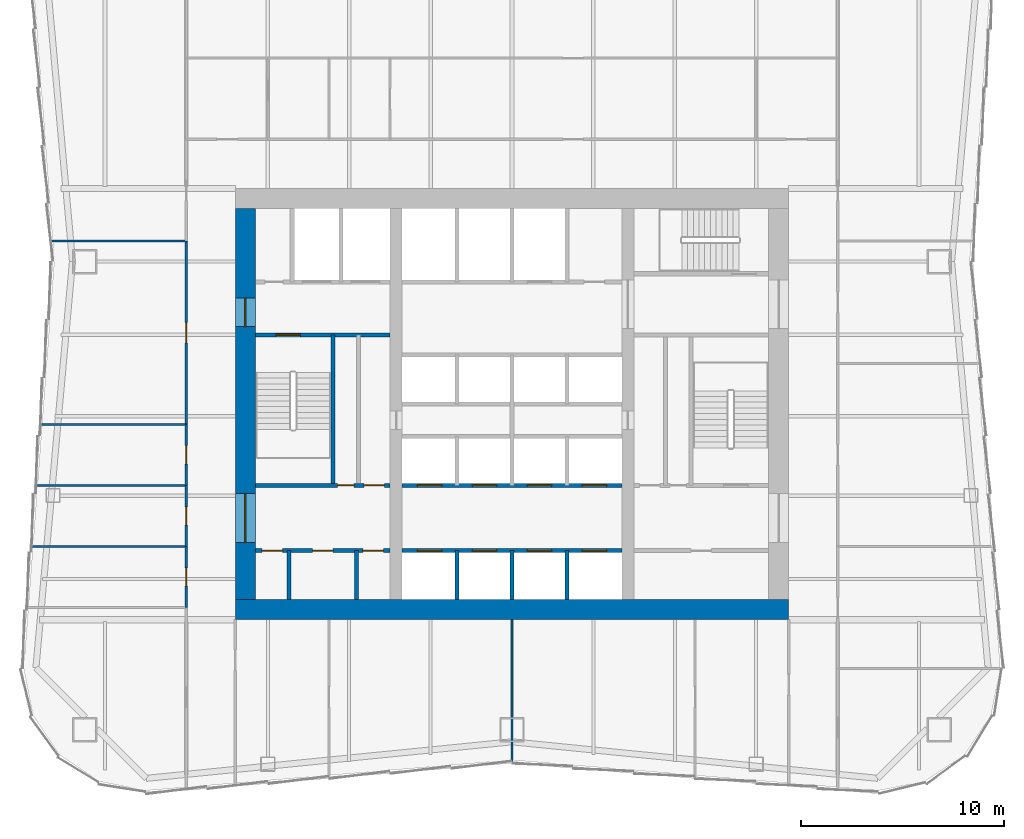
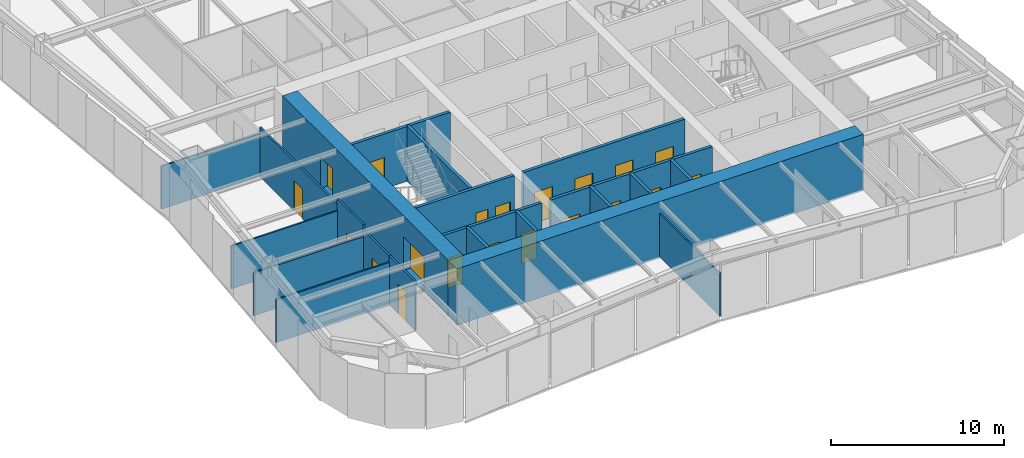
# One storey, part 4 of 8: 22 walls, 20 doors, 20 openings.
"""IFC4 building model written with IfcOpenShell, lengths in metres."""

from ifc_helpers import new_model, si_unit, direction, frame, frame_2d, origin, place, context, subcontext, project, spatial, rectangle, extrude, material, layer, layer_set, type_object, element, fill, save


model = new_model("IFC4")

# Units and contexts
model_context = context("Model", 3, precision=1e-05, world=origin(), true_north=direction((0.0, 1.0)))
body_context = subcontext(model_context, "Body", "Model", "MODEL_VIEW")
ifc_project = project(units=[si_unit("LENGTHUNIT", "METRE"), si_unit("AREAUNIT", "SQUARE_METRE"), si_unit("VOLUMEUNIT", "CUBIC_METRE"), si_unit("PLANEANGLEUNIT", "RADIAN"), si_unit("MASSUNIT", "GRAM", prefix="KILO")], contexts=[model_context])

# Site, building, storey
site_placement = place(None, origin())
site = spatial("IfcSite", under=ifc_project, at=site_placement, CompositionType="ELEMENT")
building_placement = place(site_placement, origin())
building = spatial("IfcBuilding", under=site, at=building_placement, Name="Verdant Reach Tower", CompositionType="ELEMENT")
storey_placement = place(building_placement, frame((0.0, 0.0, 134.0)))
storey = spatial("IfcBuildingStorey", under=building, at=storey_placement, Name="L30", CompositionType="ELEMENT", Elevation=134.0)

# Wall, openings, doors
ifc_material_1 = material(Name="Gypsum board on steel studs", Category="steel")
ifc_layer_1 = layer(ifc_material_1, 0.199951171875)
ifc_layer_set_1 = layer_set([ifc_layer_1], Name="CO-WALL-ROOM")
wall_type_1 = type_object("IfcWallType", Name="CO-WALL-ROOM", PredefinedType="PARTITIONING", material=ifc_layer_set_1)
wall_1_placement = place(storey_placement, frame((-12.60009765625, 20.800048828125, 0.0), z_axis=(0.0, 0.0, 1.0), x_axis=(1.0, 0.0, 0.0)))
wall_1 = element("IfcWall", 1, at=wall_1_placement, inside=storey, type_object=wall_type_1, Name="Core partition, L30", PredefinedType="PARTITIONING", context=body_context, shape_type="SweptSolid", body=[
    extrude(rectangle(XDim=6.60009765625, YDim=0.199951171875, at=frame_2d((3.300048828125, 0.0))), origin(), (0.0, 0.0, 1.0), 3.8701171875),
])
opening_1_placement = place(wall_1_placement, frame((0.324951171875, 0.0, 0.0)))
opening_1 = element("IfcOpeningElement", 2, at=opening_1_placement, cuts=wall_1, Name="Opening CD", PredefinedType="OPENING", context=body_context, shape_type="SweptSolid", body=[
    extrude(rectangle(XDim=1.0, YDim=2.10009765625, at=frame_2d((0.5, 1.050048828125))), frame((0.0, 0.10986328125, 0.0), z_axis=(0.0, -1.0, 0.0), x_axis=(1.0, 0.0, 0.0)), (0.0, 0.0, 1.0), 0.219970703125),
])
opening_2_placement = place(wall_1_placement, frame((2.800048828125, 0.0, 0.0)))
opening_2 = element("IfcOpeningElement", 3, at=opening_2_placement, cuts=wall_1, Name="Opening CD", PredefinedType="OPENING", context=body_context, shape_type="SweptSolid", body=[
    extrude(rectangle(XDim=1.0, YDim=2.10009765625, at=frame_2d((0.5, 1.050048828125))), frame((0.0, 0.10986328125, 0.0), z_axis=(0.0, -1.0, 0.0), x_axis=(1.0, 0.0, 0.0)), (0.0, 0.0, 1.0), 0.219970703125),
])
opening_3_placement = place(wall_1_placement, frame((5.27490234375, 0.0, 0.0)))
opening_3 = element("IfcOpeningElement", 4, at=opening_3_placement, cuts=wall_1, Name="Opening CD", PredefinedType="OPENING", context=body_context, shape_type="SweptSolid", body=[
    extrude(rectangle(XDim=1.0, YDim=2.10009765625, at=frame_2d((0.5, 1.050048828125))), frame((0.0, 0.10986328125, 0.0), z_axis=(0.0, -1.0, 0.0), x_axis=(1.0, 0.0, 0.0)), (0.0, 0.0, 1.0), 0.219970703125),
])
ifc_material_2 = material(Name="Timber", Category="wood")
door_type_1 = type_object("IfcDoorType", Name="CO-DOOR-ROOM", OperationType="NOTDEFINED", PredefinedType="DOOR", material=ifc_material_2)
door_1_placement = place(opening_1_placement, origin())
door_1 = element("IfcDoor", 5, at=door_1_placement, inside=storey, type_object=door_type_1, Name="Core room door, L30", OperationType="SINGLE_SWING_RIGHT", OverallHeight=2.10009765625, OverallWidth=1.0, PredefinedType="DOOR", context=body_context, shape_type="SweptSolid", body=[
    extrude(rectangle(XDim=1.0, YDim=2.10009765625, at=frame_2d((0.5, 1.050048828125))), frame((0.0, 0.02490234375, 0.0), z_axis=(0.0, -1.0, 0.0), x_axis=(1.0, 0.0, 0.0)), (0.0, 0.0, 1.0), 0.050048828125),
])
fill(opening_1, door_1)
door_2_placement = place(opening_2_placement, origin())
door_2 = element("IfcDoor", 6, at=door_2_placement, inside=storey, type_object=door_type_1, Name="Core room door, L30", OperationType="SINGLE_SWING_RIGHT", OverallHeight=2.10009765625, OverallWidth=1.0, PredefinedType="DOOR", context=body_context, shape_type="SweptSolid", body=[
    extrude(rectangle(XDim=1.0, YDim=2.10009765625, at=frame_2d((0.5, 1.050048828125))), frame((0.0, 0.02490234375, 0.0), z_axis=(0.0, -1.0, 0.0), x_axis=(1.0, 0.0, 0.0)), (0.0, 0.0, 1.0), 0.050048828125),
])
fill(opening_2, door_2)
door_3_placement = place(opening_3_placement, origin())
door_3 = element("IfcDoor", 7, at=door_3_placement, inside=storey, type_object=door_type_1, Name="Core room door, L30", OperationType="SINGLE_SWING_RIGHT", OverallHeight=2.10009765625, OverallWidth=1.0, PredefinedType="DOOR", context=body_context, shape_type="SweptSolid", body=[
    extrude(rectangle(XDim=1.0, YDim=2.10009765625, at=frame_2d((0.5, 1.050048828125))), frame((0.0, 0.02490234375, 0.0), z_axis=(0.0, -1.0, 0.0), x_axis=(1.0, 0.0, 0.0)), (0.0, 0.0, 1.0), 0.050048828125),
])
fill(opening_3, door_3)

# Walls
for number, where, z_axis, x_axis, name in (
    (8, (-10.949951171875, 18.39990234375, 0.0), (0.0, 0.0, 1.0), (0.0, 1.0, 0.0), "Core partition, L30"),
    (9, (-7.64990234375, 18.39990234375, 0.0), (0.0, 0.0, 1.0), (0.0, 1.0, 0.0), "Core partition, L30"),
):
    element("IfcWall", number, at=place(storey_placement, frame(where, z_axis=z_axis, x_axis=x_axis)), inside=storey, type_object=wall_type_1, Name=name, PredefinedType="PARTITIONING", context=body_context, shape_type="SweptSolid", body=[
        extrude(rectangle(XDim=2.400146484375, YDim=0.199951171875, at=frame_2d((1.2001953125, 0.0))), origin(), (0.0, 0.0, 1.0), 3.8701171875),
    ])

# Wall, openings, doors
ifc_material_3 = material(Name="Concrete C40/50", Category="concrete")
ifc_layer_2 = layer(ifc_material_3, 0.199951171875)
ifc_layer_set_2 = layer_set([ifc_layer_2], Name="CO-WALL-SHAFT")
wall_type_2 = type_object("IfcWallType", Name="CO-WALL-SHAFT", PredefinedType="PARTITIONING", material=ifc_layer_set_2)
wall_2_placement = place(storey_placement, frame((-5.39990234375, 20.800048828125, 0.0), z_axis=(0.0, 0.0, 1.0), x_axis=(1.0, 0.0, 0.0)))
wall_2 = element("IfcWall", 10, at=wall_2_placement, inside=storey, type_object=wall_type_2, Name="Lift shaft wall, L30", PredefinedType="PARTITIONING", context=body_context, shape_type="SweptSolid", body=[
    extrude(rectangle(XDim=10.7998046875, YDim=0.199951171875, at=frame_2d((5.39990234375, 0.0))), origin(), (0.0, 0.0, 1.0), 3.8701171875),
])
opening_4_placement = place(wall_2_placement, frame((0.75, 0.0, 0.0)))
opening_4 = element("IfcOpeningElement", 11, at=opening_4_placement, cuts=wall_2, Name="Opening LD-A1", PredefinedType="OPENING", context=body_context, shape_type="SweptSolid", body=[
    extrude(rectangle(XDim=1.199951171875, YDim=2.199951171875, at=frame_2d((0.60009765625, 1.10009765625))), frame((0.0, 0.10986328125, 0.0), z_axis=(0.0, -1.0, 0.0), x_axis=(1.0, 0.0, 0.0)), (0.0, 0.0, 1.0), 0.219970703125),
])
opening_5_placement = place(wall_2_placement, frame((3.449951171875, 0.0, 0.0)))
opening_5 = element("IfcOpeningElement", 12, at=opening_5_placement, cuts=wall_2, Name="Opening LD-A2", PredefinedType="OPENING", context=body_context, shape_type="SweptSolid", body=[
    extrude(rectangle(XDim=1.199951171875, YDim=2.199951171875, at=frame_2d((0.60009765625, 1.10009765625))), frame((0.0, 0.10986328125, 0.0), z_axis=(0.0, -1.0, 0.0), x_axis=(1.0, 0.0, 0.0)), (0.0, 0.0, 1.0), 0.219970703125),
])
opening_6_placement = place(wall_2_placement, frame((6.14990234375, 0.0, 0.0)))
opening_6 = element("IfcOpeningElement", 13, at=opening_6_placement, cuts=wall_2, Name="Opening LD-A3", PredefinedType="OPENING", context=body_context, shape_type="SweptSolid", body=[
    extrude(rectangle(XDim=1.199951171875, YDim=2.199951171875, at=frame_2d((0.60009765625, 1.10009765625))), frame((0.0, 0.10986328125, 0.0), z_axis=(0.0, -1.0, 0.0), x_axis=(1.0, 0.0, 0.0)), (0.0, 0.0, 1.0), 0.219970703125),
])
opening_7_placement = place(wall_2_placement, frame((8.85009765625, 0.0, 0.0)))
opening_7 = element("IfcOpeningElement", 14, at=opening_7_placement, cuts=wall_2, Name="Opening LD-A4", PredefinedType="OPENING", context=body_context, shape_type="SweptSolid", body=[
    extrude(rectangle(XDim=1.199951171875, YDim=2.199951171875, at=frame_2d((0.60009765625, 1.10009765625))), frame((0.0, 0.10986328125, 0.0), z_axis=(0.0, -1.0, 0.0), x_axis=(1.0, 0.0, 0.0)), (0.0, 0.0, 1.0), 0.219970703125),
])
ifc_material_4 = material(Name="Stainless steel", Category="steel")
door_type_2 = type_object("IfcDoorType", Name="CO-DOOR-LANDING", OperationType="SLIDING_TO_LEFT", PredefinedType="DOOR", material=ifc_material_4)
door_4_placement = place(opening_4_placement, origin())
door_4 = element("IfcDoor", 15, at=door_4_placement, inside=storey, type_object=door_type_2, Name="Landing door A1, L30", OperationType="SLIDING_TO_LEFT", OverallHeight=2.199951171875, OverallWidth=1.199951171875, PredefinedType="DOOR", context=body_context, shape_type="SweptSolid", body=[
    extrude(rectangle(XDim=1.199951171875, YDim=2.199951171875, at=frame_2d((0.60009765625, 1.10009765625))), frame((0.0, 0.02490234375, 0.0), z_axis=(0.0, -1.0, 0.0), x_axis=(1.0, 0.0, 0.0)), (0.0, 0.0, 1.0), 0.050048828125),
])
fill(opening_4, door_4)
door_5_placement = place(opening_5_placement, origin())
door_5 = element("IfcDoor", 16, at=door_5_placement, inside=storey, type_object=door_type_2, Name="Landing door A2, L30", OperationType="SLIDING_TO_LEFT", OverallHeight=2.199951171875, OverallWidth=1.199951171875, PredefinedType="DOOR", context=body_context, shape_type="SweptSolid", body=[
    extrude(rectangle(XDim=1.199951171875, YDim=2.199951171875, at=frame_2d((0.60009765625, 1.10009765625))), frame((0.0, 0.02490234375, 0.0), z_axis=(0.0, -1.0, 0.0), x_axis=(1.0, 0.0, 0.0)), (0.0, 0.0, 1.0), 0.050048828125),
])
fill(opening_5, door_5)
door_6_placement = place(opening_6_placement, origin())
door_6 = element("IfcDoor", 17, at=door_6_placement, inside=storey, type_object=door_type_2, Name="Landing door A3, L30", OperationType="SLIDING_TO_LEFT", OverallHeight=2.199951171875, OverallWidth=1.199951171875, PredefinedType="DOOR", context=body_context, shape_type="SweptSolid", body=[
    extrude(rectangle(XDim=1.199951171875, YDim=2.199951171875, at=frame_2d((0.60009765625, 1.10009765625))), frame((0.0, 0.02490234375, 0.0), z_axis=(0.0, -1.0, 0.0), x_axis=(1.0, 0.0, 0.0)), (0.0, 0.0, 1.0), 0.050048828125),
])
fill(opening_6, door_6)
door_7_placement = place(opening_7_placement, origin())
door_7 = element("IfcDoor", 18, at=door_7_placement, inside=storey, type_object=door_type_2, Name="Landing door A4, L30", OperationType="SLIDING_TO_LEFT", OverallHeight=2.199951171875, OverallWidth=1.199951171875, PredefinedType="DOOR", context=body_context, shape_type="SweptSolid", body=[
    extrude(rectangle(XDim=1.199951171875, YDim=2.199951171875, at=frame_2d((0.60009765625, 1.10009765625))), frame((0.0, 0.02490234375, 0.0), z_axis=(0.0, -1.0, 0.0), x_axis=(1.0, 0.0, 0.0)), (0.0, 0.0, 1.0), 0.050048828125),
])
fill(opening_7, door_7)

wall_3_placement = place(storey_placement, frame((-5.39990234375, 24.0, 0.0), z_axis=(0.0, 0.0, 1.0), x_axis=(1.0, 0.0, 0.0)))
wall_3 = element("IfcWall", 19, at=wall_3_placement, inside=storey, type_object=wall_type_2, Name="Lift shaft wall, L30", PredefinedType="PARTITIONING", context=body_context, shape_type="SweptSolid", body=[
    extrude(rectangle(XDim=10.7998046875, YDim=0.199951171875, at=frame_2d((5.39990234375, 0.0))), origin(), (0.0, 0.0, 1.0), 3.8701171875),
])
opening_8_placement = place(wall_3_placement, frame((0.75, 0.0, 0.0)))
opening_8 = element("IfcOpeningElement", 20, at=opening_8_placement, cuts=wall_3, Name="Opening LD-A5", PredefinedType="OPENING", context=body_context, shape_type="SweptSolid", body=[
    extrude(rectangle(XDim=1.199951171875, YDim=2.199951171875, at=frame_2d((0.60009765625, 1.10009765625))), frame((0.0, 0.10986328125, 0.0), z_axis=(0.0, -1.0, 0.0), x_axis=(1.0, 0.0, 0.0)), (0.0, 0.0, 1.0), 0.219970703125),
])
opening_9_placement = place(wall_3_placement, frame((3.449951171875, 0.0, 0.0)))
opening_9 = element("IfcOpeningElement", 21, at=opening_9_placement, cuts=wall_3, Name="Opening LD-A6", PredefinedType="OPENING", context=body_context, shape_type="SweptSolid", body=[
    extrude(rectangle(XDim=1.199951171875, YDim=2.199951171875, at=frame_2d((0.60009765625, 1.10009765625))), frame((0.0, 0.10986328125, 0.0), z_axis=(0.0, -1.0, 0.0), x_axis=(1.0, 0.0, 0.0)), (0.0, 0.0, 1.0), 0.219970703125),
])
opening_10_placement = place(wall_3_placement, frame((6.14990234375, 0.0, 0.0)))
opening_10 = element("IfcOpeningElement", 22, at=opening_10_placement, cuts=wall_3, Name="Opening LD-A7", PredefinedType="OPENING", context=body_context, shape_type="SweptSolid", body=[
    extrude(rectangle(XDim=1.199951171875, YDim=2.199951171875, at=frame_2d((0.60009765625, 1.10009765625))), frame((0.0, 0.10986328125, 0.0), z_axis=(0.0, -1.0, 0.0), x_axis=(1.0, 0.0, 0.0)), (0.0, 0.0, 1.0), 0.219970703125),
])
opening_11_placement = place(wall_3_placement, frame((8.85009765625, 0.0, 0.0)))
opening_11 = element("IfcOpeningElement", 23, at=opening_11_placement, cuts=wall_3, Name="Opening LD-A8", PredefinedType="OPENING", context=body_context, shape_type="SweptSolid", body=[
    extrude(rectangle(XDim=1.199951171875, YDim=2.199951171875, at=frame_2d((0.60009765625, 1.10009765625))), frame((0.0, 0.10986328125, 0.0), z_axis=(0.0, -1.0, 0.0), x_axis=(1.0, 0.0, 0.0)), (0.0, 0.0, 1.0), 0.219970703125),
])
door_8_placement = place(opening_8_placement, origin())
door_8 = element("IfcDoor", 24, at=door_8_placement, inside=storey, type_object=door_type_2, Name="Landing door A5, L30", OperationType="SLIDING_TO_LEFT", OverallHeight=2.199951171875, OverallWidth=1.199951171875, PredefinedType="DOOR", context=body_context, shape_type="SweptSolid", body=[
    extrude(rectangle(XDim=1.199951171875, YDim=2.199951171875, at=frame_2d((0.60009765625, 1.10009765625))), frame((0.0, 0.02490234375, 0.0), z_axis=(0.0, -1.0, 0.0), x_axis=(1.0, 0.0, 0.0)), (0.0, 0.0, 1.0), 0.050048828125),
])
fill(opening_8, door_8)
door_9_placement = place(opening_9_placement, origin())
door_9 = element("IfcDoor", 25, at=door_9_placement, inside=storey, type_object=door_type_2, Name="Landing door A6, L30", OperationType="SLIDING_TO_LEFT", OverallHeight=2.199951171875, OverallWidth=1.199951171875, PredefinedType="DOOR", context=body_context, shape_type="SweptSolid", body=[
    extrude(rectangle(XDim=1.199951171875, YDim=2.199951171875, at=frame_2d((0.60009765625, 1.10009765625))), frame((0.0, 0.02490234375, 0.0), z_axis=(0.0, -1.0, 0.0), x_axis=(1.0, 0.0, 0.0)), (0.0, 0.0, 1.0), 0.050048828125),
])
fill(opening_9, door_9)
door_10_placement = place(opening_10_placement, origin())
door_10 = element("IfcDoor", 26, at=door_10_placement, inside=storey, type_object=door_type_2, Name="Landing door A7, L30", OperationType="SLIDING_TO_LEFT", OverallHeight=2.199951171875, OverallWidth=1.199951171875, PredefinedType="DOOR", context=body_context, shape_type="SweptSolid", body=[
    extrude(rectangle(XDim=1.199951171875, YDim=2.199951171875, at=frame_2d((0.60009765625, 1.10009765625))), frame((0.0, 0.02490234375, 0.0), z_axis=(0.0, -1.0, 0.0), x_axis=(1.0, 0.0, 0.0)), (0.0, 0.0, 1.0), 0.050048828125),
])
fill(opening_10, door_10)
door_11_placement = place(opening_11_placement, origin())
door_11 = element("IfcDoor", 27, at=door_11_placement, inside=storey, type_object=door_type_2, Name="Landing door A8, L30", OperationType="SLIDING_TO_LEFT", OverallHeight=2.199951171875, OverallWidth=1.199951171875, PredefinedType="DOOR", context=body_context, shape_type="SweptSolid", body=[
    extrude(rectangle(XDim=1.199951171875, YDim=2.199951171875, at=frame_2d((0.60009765625, 1.10009765625))), frame((0.0, 0.02490234375, 0.0), z_axis=(0.0, -1.0, 0.0), x_axis=(1.0, 0.0, 0.0)), (0.0, 0.0, 1.0), 0.050048828125),
])
fill(opening_11, door_11)

# Walls
for number, where, z_axis, x_axis, name in (
    (28, (-2.699951171875, 18.39990234375, 0.0), (0.0, 0.0, 1.0), (0.0, 1.0, 0.0), "Lift shaft wall, L30"),
    (29, (0.0, 18.39990234375, 0.0), (0.0, 0.0, 1.0), (0.0, 1.0, 0.0), "Lift shaft wall, L30"),
    (30, (2.699951171875, 18.39990234375, 0.0), (0.0, 0.0, 1.0), (0.0, 1.0, 0.0), "Lift shaft wall, L30"),
):
    element("IfcWall", number, at=place(storey_placement, frame(where, z_axis=z_axis, x_axis=x_axis)), inside=storey, type_object=wall_type_2, Name=name, PredefinedType="PARTITIONING", context=body_context, shape_type="SweptSolid", body=[
        extrude(rectangle(XDim=2.400146484375, YDim=0.199951171875, at=frame_2d((1.2001953125, 0.0))), origin(), (0.0, 0.0, 1.0), 3.8701171875),
    ])

# Wall, openings, doors
ifc_layer_3 = layer(ifc_material_3, 0.199951171875)
ifc_layer_set_3 = layer_set([ifc_layer_3], Name="CO-WALL-STAIR")
wall_type_3 = type_object("IfcWallType", Name="CO-WALL-STAIR", PredefinedType="PARTITIONING", material=ifc_layer_set_3)
wall_4_placement = place(storey_placement, frame((-12.60009765625, 24.0, 0.0), z_axis=(0.0, 0.0, 1.0), x_axis=(1.0, 0.0, 0.0)))
wall_4 = element("IfcWall", 31, at=wall_4_placement, inside=storey, type_object=wall_type_3, Name="Stair enclosure wall, L30", PredefinedType="PARTITIONING", context=body_context, shape_type="SweptSolid", body=[
    extrude(rectangle(XDim=6.60009765625, YDim=0.199951171875, at=frame_2d((3.300048828125, 0.0))), origin(), (0.0, 0.0, 1.0), 3.8701171875),
])
opening_12_placement = place(wall_4_placement, frame((4.030029296875, 0.0, 0.0)))
opening_12 = element("IfcOpeningElement", 32, at=opening_12_placement, cuts=wall_4, Name="Opening CDN", PredefinedType="OPENING", context=body_context, shape_type="SweptSolid", body=[
    extrude(rectangle(XDim=0.800048828125, YDim=2.10009765625, at=frame_2d((0.39990234375, 1.050048828125))), frame((0.0, 0.10986328125, 0.0), z_axis=(0.0, -1.0, 0.0), x_axis=(1.0, 0.0, 0.0)), (0.0, 0.0, 1.0), 0.219970703125),
])
opening_13_placement = place(wall_4_placement, frame((5.330078125, 0.0, 0.0)))
opening_13 = element("IfcOpeningElement", 33, at=opening_13_placement, cuts=wall_4, Name="Opening CD", PredefinedType="OPENING", context=body_context, shape_type="SweptSolid", body=[
    extrude(rectangle(XDim=1.0, YDim=2.10009765625, at=frame_2d((0.5, 1.050048828125))), frame((0.0, 0.10986328125, 0.0), z_axis=(0.0, -1.0, 0.0), x_axis=(1.0, 0.0, 0.0)), (0.0, 0.0, 1.0), 0.219970703125),
])
door_12_placement = place(opening_13_placement, origin())
door_12 = element("IfcDoor", 34, at=door_12_placement, inside=storey, type_object=door_type_1, Name="Core room door, L30", OperationType="SINGLE_SWING_LEFT", OverallHeight=2.10009765625, OverallWidth=1.0, PredefinedType="DOOR", context=body_context, shape_type="SweptSolid", body=[
    extrude(rectangle(XDim=1.0, YDim=2.10009765625, at=frame_2d((0.5, 1.050048828125))), frame((0.0, 0.02490234375, 0.0), z_axis=(0.0, -1.0, 0.0), x_axis=(1.0, 0.0, 0.0)), (0.0, 0.0, 1.0), 0.050048828125),
])
fill(opening_13, door_12)
door_type_3 = type_object("IfcDoorType", Name="CO-DOOR-ROOM-NARROW", OperationType="NOTDEFINED", PredefinedType="DOOR", material=ifc_material_2)
door_13_placement = place(opening_12_placement, origin())
door_13 = element("IfcDoor", 35, at=door_13_placement, inside=storey, type_object=door_type_3, Name="Core room door, L30", OperationType="SINGLE_SWING_RIGHT", OverallHeight=2.10009765625, OverallWidth=0.800048828125, PredefinedType="DOOR", context=body_context, shape_type="SweptSolid", body=[
    extrude(rectangle(XDim=0.800048828125, YDim=2.10009765625, at=frame_2d((0.39990234375, 1.050048828125))), frame((0.0, 0.02490234375, 0.0), z_axis=(0.0, -1.0, 0.0), x_axis=(1.0, 0.0, 0.0)), (0.0, 0.0, 1.0), 0.050048828125),
])
fill(opening_12, door_13)

# Wall, opening, door
wall_5_placement = place(storey_placement, frame((-12.60009765625, 31.39990234375, 0.0), z_axis=(0.0, 0.0, 1.0), x_axis=(1.0, 0.0, 0.0)))
wall_5 = element("IfcWall", 36, at=wall_5_placement, inside=storey, type_object=wall_type_3, Name="Stair enclosure wall, L30", PredefinedType="PARTITIONING", context=body_context, shape_type="SweptSolid", body=[
    extrude(rectangle(XDim=6.60009765625, YDim=0.199951171875, at=frame_2d((3.300048828125, 0.0))), origin(), (0.0, 0.0, 1.0), 3.8701171875),
])
opening_14_placement = place(wall_5_placement, frame((1.0, 0.0, 0.0)))
opening_14 = element("IfcOpeningElement", 37, at=opening_14_placement, cuts=wall_5, Name="Opening SD", PredefinedType="OPENING", context=body_context, shape_type="SweptSolid", body=[
    extrude(rectangle(XDim=1.199951171875, YDim=2.199951171875, at=frame_2d((0.60009765625, 1.10009765625))), frame((0.0, 0.10986328125, 0.0), z_axis=(0.0, -1.0, 0.0), x_axis=(1.0, 0.0, 0.0)), (0.0, 0.0, 1.0), 0.219970703125),
])
ifc_material_5 = material(Name="Steel", Category="steel")
door_type_4 = type_object("IfcDoorType", Name="CO-DOOR-STAIR", OperationType="NOTDEFINED", PredefinedType="DOOR", material=ifc_material_5)
door_14_placement = place(opening_14_placement, origin())
door_14 = element("IfcDoor", 38, at=door_14_placement, inside=storey, type_object=door_type_4, Name="Stair door, L30", OperationType="SINGLE_SWING_LEFT", OverallHeight=2.199951171875, OverallWidth=1.199951171875, PredefinedType="DOOR", context=body_context, shape_type="SweptSolid", body=[
    extrude(rectangle(XDim=1.199951171875, YDim=2.199951171875, at=frame_2d((0.60009765625, 1.10009765625))), frame((0.0, 0.02490234375, 0.0), z_axis=(0.0, -1.0, 0.0), x_axis=(1.0, 0.0, 0.0)), (0.0, 0.0, 1.0), 0.050048828125),
])
fill(opening_14, door_14)

# Walls
wall_6_placement = place(storey_placement, frame((-8.800048828125, 24.0, 0.0), z_axis=(0.0, 0.0, 1.0), x_axis=(0.0, 1.0, 0.0)))
element("IfcWall", 39, at=wall_6_placement, inside=storey, type_object=wall_type_3, Name="Stair enclosure wall, L30", PredefinedType="PARTITIONING", context=body_context, shape_type="SweptSolid", body=[
    extrude(rectangle(XDim=7.39990234375, YDim=0.199951171875, at=frame_2d((3.699951171875, 0.0))), origin(), (0.0, 0.0, 1.0), 3.8701171875),
])
ifc_layer_4 = layer(ifc_material_1, 0.10009765625)
ifc_layer_set_4 = layer_set([ifc_layer_4], Name="FL-W1 Partition 100")
wall_type_4 = type_object("IfcWallType", Name="FL-W1 Partition 100", PredefinedType="PARTITIONING", material=ifc_layer_set_4)
wall_7_placement = place(storey_placement, frame((-16.0, 21.0, 0.0), z_axis=(0.0, 0.0, 1.0), x_axis=(-1.0, 0.0, 0.0)))
element("IfcWall", 40, at=wall_7_placement, inside=storey, type_object=wall_type_4, Name="Partition 30.20", PredefinedType="PARTITIONING", context=body_context, shape_type="SweptSolid", body=[
    extrude(rectangle(XDim=7.6298828125, YDim=0.10009765625, at=frame_2d((3.81494140625, 0.0))), origin(), (0.0, 0.0, 1.0), 3.0400390625),
])
wall_8_placement = place(storey_placement, frame((-16.0, 24.0, 0.0), z_axis=(0.0, 0.0, 1.0), x_axis=(-1.0, 0.0, 0.0)))
element("IfcWall", 41, at=wall_8_placement, inside=storey, type_object=wall_type_4, Name="Partition 30.21", PredefinedType="PARTITIONING", context=body_context, shape_type="SweptSolid", body=[
    extrude(rectangle(XDim=7.405029296875, YDim=0.10009765625, at=frame_2d((3.70263671875, 0.0))), origin(), (0.0, 0.0, 1.0), 3.0400390625),
])
wall_9_placement = place(storey_placement, frame((-16.0, 27.0, 0.0), z_axis=(0.0, 0.0, 1.0), x_axis=(-1.0, 0.0, 0.0)))
element("IfcWall", 42, at=wall_9_placement, inside=storey, type_object=wall_type_4, Name="Partition 30.22", PredefinedType="PARTITIONING", context=body_context, shape_type="SweptSolid", body=[
    extrude(rectangle(XDim=7.179931640625, YDim=0.10009765625, at=frame_2d((3.58984375, 0.0))), origin(), (0.0, 0.0, 1.0), 3.0400390625),
])
wall_10_placement = place(storey_placement, frame((-16.0, 36.0, 0.0), z_axis=(0.0, 0.0, 1.0), x_axis=(-1.0, 0.0, 0.0)))
element("IfcWall", 43, at=wall_10_placement, inside=storey, type_object=wall_type_4, Name="Partition 30.23", PredefinedType="PARTITIONING", context=body_context, shape_type="SweptSolid", body=[
    extrude(rectangle(XDim=6.655029296875, YDim=0.10009765625, at=frame_2d((3.32763671875, 0.0))), origin(), (0.0, 0.0, 1.0), 3.0400390625),
])
wall_11_placement = place(storey_placement, frame((0.0, 10.419921875, 0.0), z_axis=(0.0, 0.0, 1.0), x_axis=(0.0, 1.0, 0.0)))
element("IfcWall", 44, at=wall_11_placement, inside=storey, type_object=wall_type_4, Name="Partition 30.35", PredefinedType="PARTITIONING", context=body_context, shape_type="SweptSolid", body=[
    extrude(rectangle(XDim=6.97998046875, YDim=0.10009765625, at=frame_2d((3.489990234375, 0.0))), origin(), (0.0, 0.0, 1.0), 3.0400390625),
])

# Wall, opening, door
ifc_material_6 = material(Name="Gypsum board on steel studs, fire rated", Category="steel")
ifc_layer_5 = layer(ifc_material_6, 0.125)
ifc_layer_set_5 = layer_set([ifc_layer_5], Name="FL-W2 Corridor wall 125")
wall_type_5 = type_object("IfcWallType", Name="FL-W2 Corridor wall 125", PredefinedType="PARTITIONING", material=ifc_layer_set_5)
wall_12_placement = place(storey_placement, frame((-16.0, 18.0, 0.0), z_axis=(0.0, 0.0, 1.0), x_axis=(0.0, 1.0, 0.0)))
wall_12 = element("IfcWall", 45, at=wall_12_placement, inside=storey, type_object=wall_type_5, Name="Partition 30.02", PredefinedType="PARTITIONING", context=body_context, shape_type="SweptSolid", body=[
    extrude(rectangle(XDim=3.0, YDim=0.125, at=frame_2d((1.5, 0.0))), origin(), (0.0, 0.0, 1.0), 3.47998046875),
])
opening_15_placement = place(wall_12_placement, frame((1.050048828125, 0.0, 0.0)))
opening_15 = element("IfcOpeningElement", 46, at=opening_15_placement, cuts=wall_12, Name="Opening D1", PredefinedType="OPENING", context=body_context, shape_type="SweptSolid", body=[
    extrude(rectangle(XDim=0.89990234375, YDim=2.10009765625, at=frame_2d((0.449951171875, 1.050048828125))), frame((0.0, 0.072509765625, 0.0), z_axis=(0.0, -1.0, 0.0), x_axis=(1.0, 0.0, 0.0)), (0.0, 0.0, 1.0), 0.14501953125),
])
ifc_material_7 = material(Name="Painted timber door leaf", Category="wood")
door_type_5 = type_object("IfcDoorType", Name="FL-D1 Door 900x2100", OperationType="NOTDEFINED", PredefinedType="DOOR", material=ifc_material_7)
door_15_placement = place(opening_15_placement, origin())
door_15 = element("IfcDoor", 47, at=door_15_placement, inside=storey, type_object=door_type_5, Name="Door 30-002", OperationType="SINGLE_SWING_RIGHT", OverallHeight=2.10009765625, OverallWidth=0.89990234375, PredefinedType="DOOR", context=body_context, shape_type="SweptSolid", body=[
    extrude(rectangle(XDim=0.89990234375, YDim=2.10009765625, at=frame_2d((0.449951171875, 1.050048828125))), frame((0.0, 0.02490234375, 0.0), z_axis=(0.0, -1.0, 0.0), x_axis=(1.0, 0.0, 0.0)), (0.0, 0.0, 1.0), 0.050048828125),
])
fill(opening_15, door_15)

wall_13_placement = place(storey_placement, frame((-16.0, 21.0, 0.0), z_axis=(0.0, 0.0, 1.0), x_axis=(0.0, 1.0, 0.0)))
wall_13 = element("IfcWall", 48, at=wall_13_placement, inside=storey, type_object=wall_type_5, Name="Partition 30.03", PredefinedType="PARTITIONING", context=body_context, shape_type="SweptSolid", body=[
    extrude(rectangle(XDim=3.0, YDim=0.125, at=frame_2d((1.5, 0.0))), origin(), (0.0, 0.0, 1.0), 3.47998046875),
])
opening_16_placement = place(wall_13_placement, frame((1.050048828125, 0.0, 0.0)))
opening_16 = element("IfcOpeningElement", 49, at=opening_16_placement, cuts=wall_13, Name="Opening D1", PredefinedType="OPENING", context=body_context, shape_type="SweptSolid", body=[
    extrude(rectangle(XDim=0.89990234375, YDim=2.10009765625, at=frame_2d((0.449951171875, 1.050048828125))), frame((0.0, 0.072509765625, 0.0), z_axis=(0.0, -1.0, 0.0), x_axis=(1.0, 0.0, 0.0)), (0.0, 0.0, 1.0), 0.14501953125),
])
door_16_placement = place(opening_16_placement, origin())
door_16 = element("IfcDoor", 50, at=door_16_placement, inside=storey, type_object=door_type_5, Name="Door 30-003", OperationType="SINGLE_SWING_LEFT", OverallHeight=2.10009765625, OverallWidth=0.89990234375, PredefinedType="DOOR", context=body_context, shape_type="SweptSolid", body=[
    extrude(rectangle(XDim=0.89990234375, YDim=2.10009765625, at=frame_2d((0.449951171875, 1.050048828125))), frame((0.0, 0.02490234375, 0.0), z_axis=(0.0, -1.0, 0.0), x_axis=(1.0, 0.0, 0.0)), (0.0, 0.0, 1.0), 0.050048828125),
])
fill(opening_16, door_16)

wall_14_placement = place(storey_placement, frame((-16.0, 24.0, 0.0), z_axis=(0.0, 0.0, 1.0), x_axis=(0.0, 1.0, 0.0)))
wall_14 = element("IfcWall", 51, at=wall_14_placement, inside=storey, type_object=wall_type_5, Name="Partition 30.04", PredefinedType="PARTITIONING", context=body_context, shape_type="SweptSolid", body=[
    extrude(rectangle(XDim=3.0, YDim=0.125, at=frame_2d((1.5, 0.0))), origin(), (0.0, 0.0, 1.0), 3.8701171875),
])
opening_17_placement = place(wall_14_placement, frame((1.050048828125, 0.0, 0.0)))
opening_17 = element("IfcOpeningElement", 52, at=opening_17_placement, cuts=wall_14, Name="Opening D1", PredefinedType="OPENING", context=body_context, shape_type="SweptSolid", body=[
    extrude(rectangle(XDim=0.89990234375, YDim=2.10009765625, at=frame_2d((0.449951171875, 1.050048828125))), frame((0.0, 0.072509765625, 0.0), z_axis=(0.0, -1.0, 0.0), x_axis=(1.0, 0.0, 0.0)), (0.0, 0.0, 1.0), 0.14501953125),
])
door_17_placement = place(opening_17_placement, origin())
door_17 = element("IfcDoor", 53, at=door_17_placement, inside=storey, type_object=door_type_5, Name="Door 30-004", OperationType="SINGLE_SWING_RIGHT", OverallHeight=2.10009765625, OverallWidth=0.89990234375, PredefinedType="DOOR", context=body_context, shape_type="SweptSolid", body=[
    extrude(rectangle(XDim=0.89990234375, YDim=2.10009765625, at=frame_2d((0.449951171875, 1.050048828125))), frame((0.0, 0.02490234375, 0.0), z_axis=(0.0, -1.0, 0.0), x_axis=(1.0, 0.0, 0.0)), (0.0, 0.0, 1.0), 0.050048828125),
])
fill(opening_17, door_17)

wall_15_placement = place(storey_placement, frame((-16.0, 27.0, 0.0), z_axis=(0.0, 0.0, 1.0), x_axis=(0.0, 1.0, 0.0)))
wall_15 = element("IfcWall", 54, at=wall_15_placement, inside=storey, type_object=wall_type_5, Name="Partition 30.05", PredefinedType="PARTITIONING", context=body_context, shape_type="SweptSolid", body=[
    extrude(rectangle(XDim=9.0, YDim=0.125, at=frame_2d((4.5, 0.0))), origin(), (0.0, 0.0, 1.0), 3.47998046875),
])
opening_18_placement = place(wall_15_placement, frame((4.0, 0.0, 0.0)))
opening_18 = element("IfcOpeningElement", 55, at=opening_18_placement, cuts=wall_15, Name="Opening D2", PredefinedType="OPENING", context=body_context, shape_type="SweptSolid", body=[
    extrude(rectangle(XDim=1.0, YDim=2.10009765625, at=frame_2d((0.5, 1.050048828125))), frame((0.0, 0.072509765625, 0.0), z_axis=(0.0, -1.0, 0.0), x_axis=(1.0, 0.0, 0.0)), (0.0, 0.0, 1.0), 0.14501953125),
])
ifc_material_8 = material(Name="Timber door leaf, fire rated", Category="wood")
door_type_6 = type_object("IfcDoorType", Name="FL-D2 Entrance door 1000x2100 FD30", OperationType="NOTDEFINED", PredefinedType="DOOR", material=ifc_material_8)
door_18_placement = place(opening_18_placement, origin())
door_18 = element("IfcDoor", 56, at=door_18_placement, inside=storey, type_object=door_type_6, Name="Door 30-005", OperationType="SINGLE_SWING_LEFT", OverallHeight=2.10009765625, OverallWidth=1.0, PredefinedType="DOOR", context=body_context, shape_type="SweptSolid", body=[
    extrude(rectangle(XDim=1.0, YDim=2.10009765625, at=frame_2d((0.5, 1.050048828125))), frame((0.0, 0.02490234375, 0.0), z_axis=(0.0, -1.0, 0.0), x_axis=(1.0, 0.0, 0.0)), (0.0, 0.0, 1.0), 0.050048828125),
])
fill(opening_18, door_18)

# Wall
ifc_material_9 = material(Name="Concrete C70/85", Category="concrete")
ifc_layer_6 = layer(ifc_material_9, 1.0)
ifc_layer_set_6 = layer_set([ifc_layer_6], Name="ST-CORE-WALL-1000")
wall_type_6 = type_object("IfcWallType", Name="ST-CORE-WALL-1000", PredefinedType="SHEAR", material=ifc_layer_set_6)
wall_16_placement = place(storey_placement, frame((-13.60009765625, 17.89990234375, -0.1298828125), z_axis=(0.0, 0.0, 1.0), x_axis=(1.0, 0.0, 0.0)))
element("IfcWall", 57, at=wall_16_placement, inside=storey, type_object=wall_type_6, Name="Core wall S, L30", PredefinedType="SHEAR", context=body_context, shape_type="SweptSolid", body=[
    extrude(rectangle(XDim=27.2001953125, YDim=1.0, at=frame_2d((13.60009765625, 0.0))), origin(), (0.0, 0.0, 1.0), 4.0),
])

# Wall, openings, doors
wall_17_placement = place(storey_placement, frame((-13.10009765625, 18.39990234375, -0.1298828125), z_axis=(0.0, 0.0, 1.0), x_axis=(0.0, 1.0, 0.0)))
wall_17 = element("IfcWall", 58, at=wall_17_placement, inside=storey, type_object=wall_type_6, Name="Core wall W, L30", PredefinedType="SHEAR", context=body_context, shape_type="SweptSolid", body=[
    extrude(rectangle(XDim=19.2001953125, YDim=1.0, at=frame_2d((9.60009765625, 0.0))), origin(), (0.0, 0.0, 1.0), 4.0),
])
opening_19_placement = place(wall_17_placement, frame((2.800048828125, 0.0, 0.1298828125)))
opening_19 = element("IfcOpeningElement", 59, at=opening_19_placement, cuts=wall_17, Name="Opening LB", PredefinedType="OPENING", context=body_context, shape_type="SweptSolid", body=[
    extrude(rectangle(XDim=2.39990234375, YDim=2.39990234375, at=frame_2d((1.199951171875, 1.199951171875))), frame((0.0, 0.510009765625, 0.0), z_axis=(0.0, -1.0, 0.0), x_axis=(1.0, 0.0, 0.0)), (0.0, 0.0, 1.0), 1.02001953125),
])
opening_20_placement = place(wall_17_placement, frame((13.39990234375, 0.0, 0.1298828125)))
opening_20 = element("IfcOpeningElement", 60, at=opening_20_placement, cuts=wall_17, Name="Opening FL", PredefinedType="OPENING", context=body_context, shape_type="SweptSolid", body=[
    extrude(rectangle(XDim=1.39990234375, YDim=2.199951171875, at=frame_2d((0.699951171875, 1.10009765625))), frame((0.0, 0.510009765625, 0.0), z_axis=(0.0, -1.0, 0.0), x_axis=(1.0, 0.0, 0.0)), (0.0, 0.0, 1.0), 1.02001953125),
])
door_type_7 = type_object("IfcDoorType", Name="CO-DOOR-FFL", OperationType="NOTDEFINED", PredefinedType="DOOR", material=ifc_material_5)
door_19_placement = place(opening_20_placement, origin())
door_19 = element("IfcDoor", 61, at=door_19_placement, inside=storey, type_object=door_type_7, Name="Core entrance door, L30", OperationType="SINGLE_SWING_LEFT", OverallHeight=2.199951171875, OverallWidth=1.39990234375, PredefinedType="DOOR", context=body_context, shape_type="SweptSolid", body=[
    extrude(rectangle(XDim=1.39990234375, YDim=2.199951171875, at=frame_2d((0.699951171875, 1.10009765625))), frame((0.0, 0.02490234375, 0.0), z_axis=(0.0, -1.0, 0.0), x_axis=(1.0, 0.0, 0.0)), (0.0, 0.0, 1.0), 0.050048828125),
])
fill(opening_20, door_19)
ifc_material_10 = material(Name="Glass and steel", Category="steel")
door_type_8 = type_object("IfcDoorType", Name="CO-DOOR-LOBBY", OperationType="DOUBLE_DOOR_SINGLE_SWING", PredefinedType="DOOR", material=ifc_material_10)
door_20_placement = place(opening_19_placement, origin())
door_20 = element("IfcDoor", 62, at=door_20_placement, inside=storey, type_object=door_type_8, Name="Core entrance door, L30", OperationType="DOUBLE_DOOR_SINGLE_SWING", OverallHeight=2.39990234375, OverallWidth=2.39990234375, PredefinedType="DOOR", context=body_context, shape_type="SweptSolid", body=[
    extrude(rectangle(XDim=2.39990234375, YDim=2.39990234375, at=frame_2d((1.199951171875, 1.199951171875))), frame((0.0, 0.02490234375, 0.0), z_axis=(0.0, -1.0, 0.0), x_axis=(1.0, 0.0, 0.0)), (0.0, 0.0, 1.0), 0.050048828125),
])
fill(opening_19, door_20)

save(model, "model.ifc")
